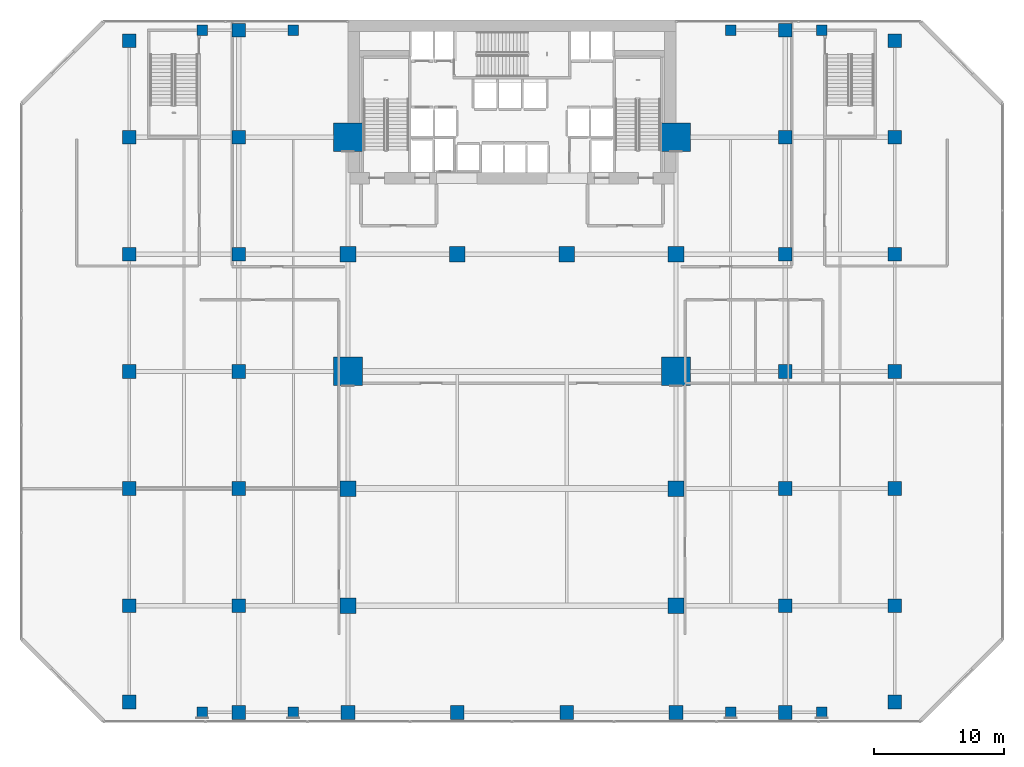
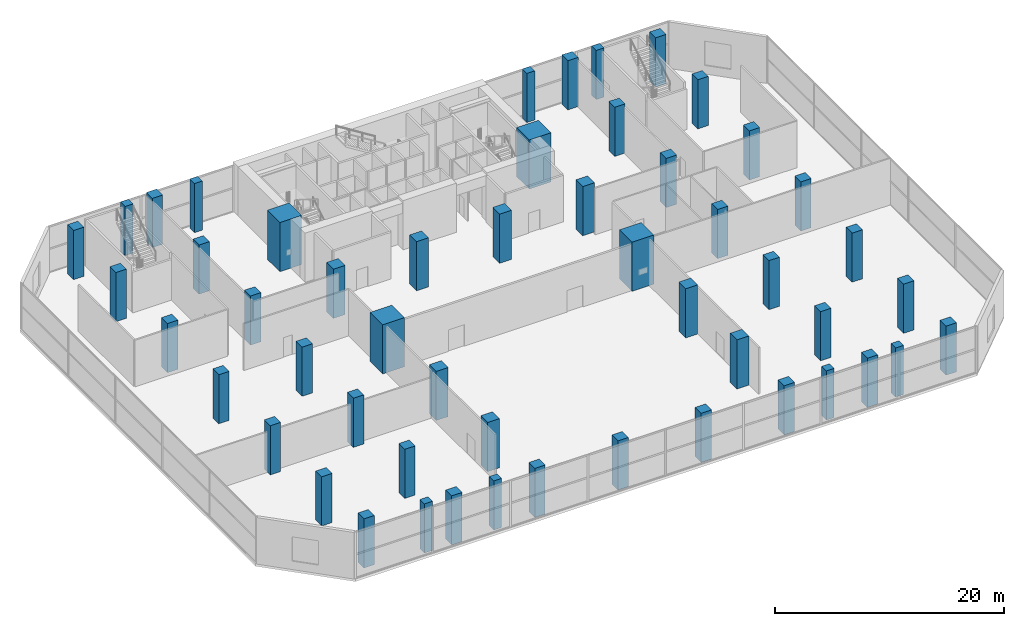
# One storey, part 1 of 40: 52 columns.
"""IFC4 building model written with IfcOpenShell, lengths in metres."""

from ifc_helpers import new_model, si_unit, direction, frame, origin, origin_2d, place, context, subcontext, project, spatial, rectangle, extrude, material, material_profile, profile_set, type_object, element, save


model = new_model("IFC4")

# Units and contexts
model_context = context("Model", 3, precision=1e-05, world=origin(), true_north=direction((0.0, 1.0)))
body_context = subcontext(model_context, "Body", "Model", "MODEL_VIEW")
ifc_project = project(units=[si_unit("LENGTHUNIT", "METRE"), si_unit("AREAUNIT", "SQUARE_METRE"), si_unit("VOLUMEUNIT", "CUBIC_METRE"), si_unit("PLANEANGLEUNIT", "RADIAN"), si_unit("MASSUNIT", "GRAM", prefix="KILO")], contexts=[model_context])

# Site, building, storey
site_placement = place(None, origin())
site = spatial("IfcSite", under=ifc_project, at=site_placement, CompositionType="ELEMENT")
building_placement = place(site_placement, origin())
building = spatial("IfcBuilding", under=site, at=building_placement, Name="Maruvema Waterfront Hotel and Observation Tower", CompositionType="ELEMENT")
storey_placement = place(building_placement, frame((0.0, 0.0, 5.60009765625)))
storey = spatial("IfcBuildingStorey", under=building, at=storey_placement, Name="L01", CompositionType="ELEMENT", Elevation=5.60009765625)

# Columns
ifc_material_1 = material(Name="Concrete C80/95", Category="concrete")
ifc_material_profile_1 = material_profile(ifc_material_1, rectangle(XDim=2.199951171875, YDim=2.199951171875, at=origin_2d()), Name="MC2200x2200")
ifc_profile_set_1 = profile_set([ifc_material_profile_1], Name="Concrete C80/95")
column_type_1 = type_object("IfcColumnType", Name="Continuous Mega-Column MC2200x2200", PredefinedType="COLUMN", material=ifc_profile_set_1)
for number, where, z_axis, x_axis, name in (
    (1, (25.199951171875, 27.0, 0.0), (0.0, 0.0, 1.0), (1.0, 0.0, 0.0), "L01 Continuous Mega-Column MC-01"),
    (2, (50.39990234375, 27.0, 0.0), (0.0, 0.0, 1.0), (1.0, 0.0, 0.0), "L01 Continuous Mega-Column MC-02"),
    (3, (25.199951171875, 45.0, 0.0), (0.0, 0.0, 1.0), (1.0, 0.0, 0.0), "L01 Continuous Mega-Column MC-03"),
    (4, (50.39990234375, 45.0, 0.0), (0.0, 0.0, 1.0), (1.0, 0.0, 0.0), "L01 Continuous Mega-Column MC-04"),
):
    element("IfcColumn", number, at=place(storey_placement, frame(where, z_axis=z_axis, x_axis=x_axis)), inside=storey, type_object=column_type_1, Name=name, PredefinedType="COLUMN", context=body_context, shape_type="SweptSolid", body=[
        extrude(rectangle(XDim=2.199951171875, YDim=2.199951171875, at=origin_2d()), origin(), (0.0, 0.0, 1.0), 5.25),
    ])
ifc_material_2 = material(Name="Concrete C60/75", Category="concrete")
ifc_material_profile_2 = material_profile(ifc_material_2, rectangle(XDim=1.050048828125, YDim=1.050048828125, at=origin_2d()), Name="RC1050x1050")
ifc_profile_set_2 = profile_set([ifc_material_profile_2], Name="Concrete C60/75")
column_type_2 = type_object("IfcColumnType", Name="Reinforced Concrete Column RC1050x1050", PredefinedType="COLUMN", material=ifc_profile_set_2)
for number, where, z_axis, x_axis, name in (
    (5, (16.800048828125, 9.0, 0.0), (0.0, 0.0, 1.0), (1.0, 0.0, 0.0), "L01 Column C-3Y9"),
    (6, (58.800048828125, 9.0, 0.0), (0.0, 0.0, 1.0), (1.0, 0.0, 0.0), "L01 Column C-8Y9"),
    (7, (16.800048828125, 18.0, 0.0), (0.0, 0.0, 1.0), (1.0, 0.0, 0.0), "L01 Column C-3Y18"),
    (8, (58.800048828125, 18.0, 0.0), (0.0, 0.0, 1.0), (1.0, 0.0, 0.0), "L01 Column C-8Y18"),
    (9, (16.800048828125, 27.0, 0.0), (0.0, 0.0, 1.0), (1.0, 0.0, 0.0), "L01 Column C-3Y27"),
    (10, (58.800048828125, 27.0, 0.0), (0.0, 0.0, 1.0), (1.0, 0.0, 0.0), "L01 Column C-8Y27"),
    (11, (16.800048828125, 36.0, 0.0), (0.0, 0.0, 1.0), (1.0, 0.0, 0.0), "L01 Column C-3Y36"),
    (12, (58.800048828125, 36.0, 0.0), (0.0, 0.0, 1.0), (1.0, 0.0, 0.0), "L01 Column C-8Y36"),
    (13, (16.800048828125, 45.0, 0.0), (0.0, 0.0, 1.0), (1.0, 0.0, 0.0), "L01 Column C-3Y45"),
    (14, (58.800048828125, 45.0, 0.0), (0.0, 0.0, 1.0), (1.0, 0.0, 0.0), "L01 Column C-8Y45"),
    (15, (8.39990234375, 1.60009765625, 0.0), (0.0, 0.0, 1.0), (1.0, 0.0, 0.0), "L01 Column C-2A"),
    (16, (67.199951171875, 1.60009765625, 0.0), (0.0, 0.0, 1.0), (1.0, 0.0, 0.0), "L01 Column C-9A"),
    (17, (8.39990234375, 9.0, 0.0), (0.0, 0.0, 1.0), (1.0, 0.0, 0.0), "L01 Column C-2B"),
    (18, (67.199951171875, 9.0, 0.0), (0.0, 0.0, 1.0), (1.0, 0.0, 0.0), "L01 Column C-9B"),
    (19, (8.39990234375, 18.0, 0.0), (0.0, 0.0, 1.0), (1.0, 0.0, 0.0), "L01 Column C-2C"),
    (20, (67.199951171875, 18.0, 0.0), (0.0, 0.0, 1.0), (1.0, 0.0, 0.0), "L01 Column C-9C"),
    (21, (8.39990234375, 27.0, 0.0), (0.0, 0.0, 1.0), (1.0, 0.0, 0.0), "L01 Column C-2D"),
    (22, (67.199951171875, 27.0, 0.0), (0.0, 0.0, 1.0), (1.0, 0.0, 0.0), "L01 Column C-9D"),
    (23, (8.39990234375, 36.0, 0.0), (0.0, 0.0, 1.0), (1.0, 0.0, 0.0), "L01 Column C-2E"),
    (24, (67.199951171875, 36.0, 0.0), (0.0, 0.0, 1.0), (1.0, 0.0, 0.0), "L01 Column C-9E"),
    (25, (8.39990234375, 45.0, 0.0), (0.0, 0.0, 1.0), (1.0, 0.0, 0.0), "L01 Column C-2F"),
    (26, (67.199951171875, 45.0, 0.0), (0.0, 0.0, 1.0), (1.0, 0.0, 0.0), "L01 Column C-9F"),
    (27, (8.39990234375, 52.39990234375, 0.0), (0.0, 0.0, 1.0), (1.0, 0.0, 0.0), "L01 Column C-2G"),
    (28, (67.199951171875, 52.39990234375, 0.0), (0.0, 0.0, 1.0), (1.0, 0.0, 0.0), "L01 Column C-9G"),
    (29, (16.800048828125, 0.800048828125, 0.0), (0.0, 0.0, 1.0), (1.0, 0.0, 0.0), "L01 Column C-3A"),
    (30, (25.199951171875, 0.800048828125, 0.0), (0.0, 0.0, 1.0), (1.0, 0.0, 0.0), "L01 Column C-4A"),
    (31, (33.60009765625, 0.800048828125, 0.0), (0.0, 0.0, 1.0), (1.0, 0.0, 0.0), "L01 Column C-5A"),
    (32, (42.0, 0.800048828125, 0.0), (0.0, 0.0, 1.0), (1.0, 0.0, 0.0), "L01 Column C-6A"),
    (33, (50.39990234375, 0.800048828125, 0.0), (0.0, 0.0, 1.0), (1.0, 0.0, 0.0), "L01 Column C-7A"),
    (34, (58.800048828125, 0.800048828125, 0.0), (0.0, 0.0, 1.0), (1.0, 0.0, 0.0), "L01 Column C-8A"),
    (35, (16.800048828125, 53.199951171875, 0.0), (0.0, 0.0, 1.0), (1.0, 0.0, 0.0), "L01 Column C-3G"),
    (36, (58.800048828125, 53.199951171875, 0.0), (0.0, 0.0, 1.0), (1.0, 0.0, 0.0), "L01 Column C-8G"),
):
    element("IfcColumn", number, at=place(storey_placement, frame(where, z_axis=z_axis, x_axis=x_axis)), inside=storey, type_object=column_type_2, Name=name, PredefinedType="COLUMN", context=body_context, shape_type="SweptSolid", body=[
        extrude(rectangle(XDim=1.050048828125, YDim=1.050048828125, at=origin_2d()), origin(), (0.0, 0.0, 1.0), 5.25),
    ])
ifc_material_3 = material(Name="Concrete C60/75", Category="concrete")
ifc_material_profile_3 = material_profile(ifc_material_3, rectangle(XDim=1.199951171875, YDim=1.199951171875, at=origin_2d()), Name="RC1200x1200")
ifc_profile_set_3 = profile_set([ifc_material_profile_3], Name="Concrete C60/75")
column_type_3 = type_object("IfcColumnType", Name="Reinforced Concrete Column RC1200x1200", PredefinedType="COLUMN", material=ifc_profile_set_3)
for number, where, z_axis, x_axis, name in (
    (37, (25.199951171875, 36.0, 0.0), (0.0, 0.0, 1.0), (1.0, 0.0, 0.0), "L01 Column C-4E"),
    (38, (33.60009765625, 36.0, 0.0), (0.0, 0.0, 1.0), (1.0, 0.0, 0.0), "L01 Column C-5E"),
    (39, (42.0, 36.0, 0.0), (0.0, 0.0, 1.0), (1.0, 0.0, 0.0), "L01 Column C-6E"),
    (40, (50.39990234375, 36.0, 0.0), (0.0, 0.0, 1.0), (1.0, 0.0, 0.0), "L01 Column C-7E"),
    (41, (25.199951171875, 18.0, 0.0), (0.0, 0.0, 1.0), (1.0, 0.0, 0.0), "L01 Column C-4C"),
    (42, (50.39990234375, 18.0, 0.0), (0.0, 0.0, 1.0), (1.0, 0.0, 0.0), "L01 Column C-7C"),
    (43, (25.199951171875, 9.0, 0.0), (0.0, 0.0, 1.0), (1.0, 0.0, 0.0), "L01 Column C-4B"),
    (44, (50.39990234375, 9.0, 0.0), (0.0, 0.0, 1.0), (1.0, 0.0, 0.0), "L01 Column C-7B"),
):
    element("IfcColumn", number, at=place(storey_placement, frame(where, z_axis=z_axis, x_axis=x_axis)), inside=storey, type_object=column_type_3, Name=name, PredefinedType="COLUMN", context=body_context, shape_type="SweptSolid", body=[
        extrude(rectangle(XDim=1.199951171875, YDim=1.199951171875, at=origin_2d()), origin(), (0.0, 0.0, 1.0), 5.25),
    ])
ifc_material_4 = material(Name="Concrete C60/75", Category="concrete")
ifc_material_profile_4 = material_profile(ifc_material_4, rectangle(XDim=0.800048828125, YDim=0.800048828125, at=origin_2d()), Name="RC800x800")
ifc_profile_set_4 = profile_set([ifc_material_profile_4], Name="Concrete C60/75")
column_type_4 = type_object("IfcColumnType", Name="Waterfront Colonnade Pilaster RC800x800", PredefinedType="PILASTER", material=ifc_profile_set_4)
for number, where, z_axis, x_axis, name in (
    (45, (14.0, 0.800048828125, 0.0), (0.0, 0.0, 1.0), (1.0, 0.0, 0.0), "L01 Column PL-S1"),
    (46, (14.0, 53.199951171875, 0.0), (0.0, 0.0, 1.0), (1.0, 0.0, 0.0), "L01 Column PL-N1"),
    (47, (21.0, 0.800048828125, 0.0), (0.0, 0.0, 1.0), (1.0, 0.0, 0.0), "L01 Column PL-S2"),
    (48, (21.0, 53.199951171875, 0.0), (0.0, 0.0, 1.0), (1.0, 0.0, 0.0), "L01 Column PL-N2"),
    (49, (54.60009765625, 0.800048828125, 0.0), (0.0, 0.0, 1.0), (1.0, 0.0, 0.0), "L01 Column PL-S3"),
    (50, (54.60009765625, 53.199951171875, 0.0), (0.0, 0.0, 1.0), (1.0, 0.0, 0.0), "L01 Column PL-N3"),
    (51, (61.60009765625, 0.800048828125, 0.0), (0.0, 0.0, 1.0), (1.0, 0.0, 0.0), "L01 Column PL-S4"),
    (52, (61.60009765625, 53.199951171875, 0.0), (0.0, 0.0, 1.0), (1.0, 0.0, 0.0), "L01 Column PL-N4"),
):
    element("IfcColumn", number, at=place(storey_placement, frame(where, z_axis=z_axis, x_axis=x_axis)), inside=storey, type_object=column_type_4, Name=name, PredefinedType="PILASTER", context=body_context, shape_type="SweptSolid", body=[
        extrude(rectangle(XDim=0.800048828125, YDim=0.800048828125, at=origin_2d()), origin(), (0.0, 0.0, 1.0), 5.25),
    ])

save(model, "model.ifc")
